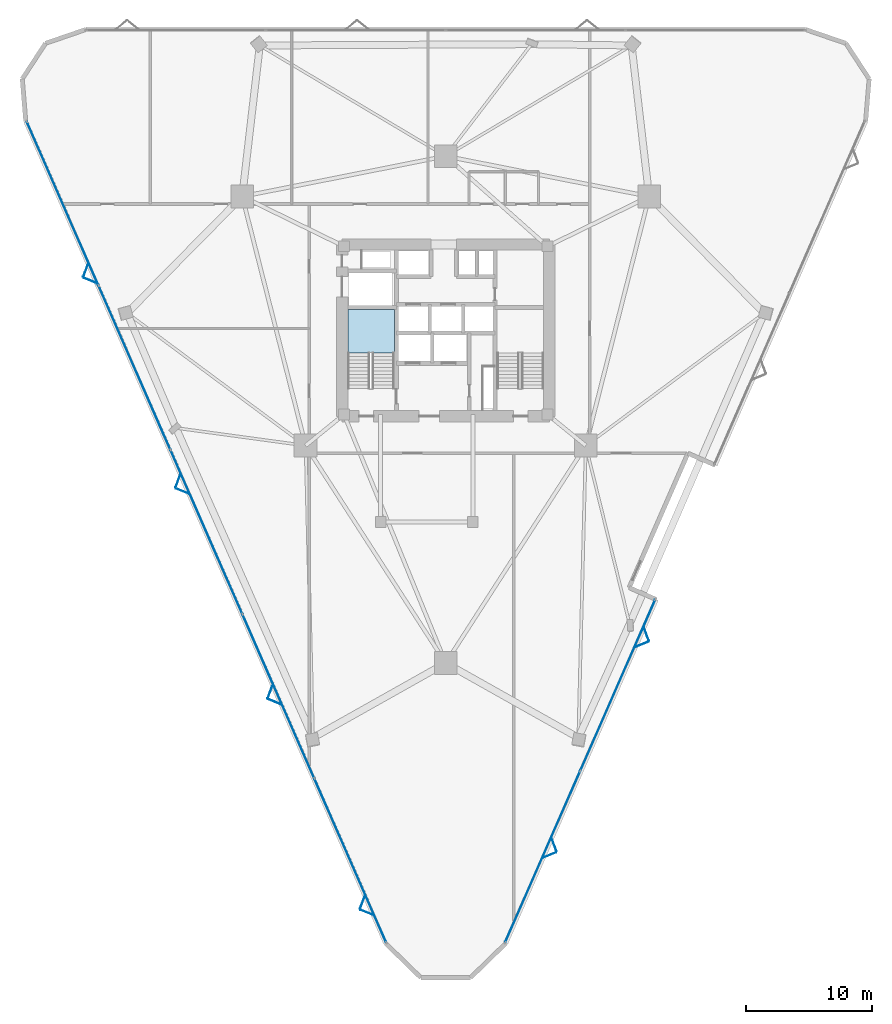
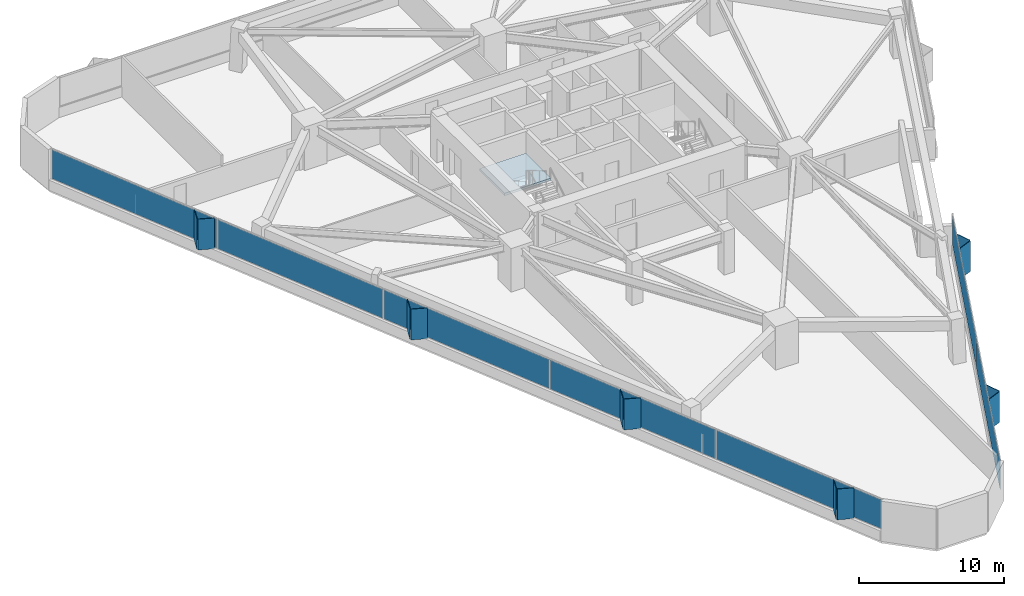
# One storey, part 9 of 14: 19 plates, 1 slab, 3 elements without a shape of their own.
"""IFC4 building model written with IfcOpenShell, lengths in metres."""

from ifc_helpers import new_model, si_unit, direction, frame, origin, origin_2d, place, context, subcontext, project, spatial, polyline, rectangle, outline, extrude, material, layer, layer_set, type_object, element, aggregate, save


model = new_model("IFC4")

# Units and contexts
model_context = context("Model", 3, precision=1e-05, world=origin(), true_north=direction((0.0, 1.0)))
body_context = subcontext(model_context, "Body", "Model", "MODEL_VIEW")
ifc_project = project(units=[si_unit("LENGTHUNIT", "METRE"), si_unit("AREAUNIT", "SQUARE_METRE"), si_unit("VOLUMEUNIT", "CUBIC_METRE"), si_unit("PLANEANGLEUNIT", "RADIAN"), si_unit("MASSUNIT", "GRAM", prefix="KILO")], contexts=[model_context])

# Site, building, storey
site_placement = place(None, origin())
site = spatial("IfcSite", under=ifc_project, at=site_placement, CompositionType="ELEMENT")
building_placement = place(site_placement, origin())
building = spatial("IfcBuilding", under=site, at=building_placement, Name="Talyreon Biosciences Tower", CompositionType="ELEMENT")
storey_placement = place(building_placement, frame((0.0, 0.0, 48.35009765625)))
storey = spatial("IfcBuildingStorey", under=building, at=storey_placement, Name="L12", CompositionType="ELEMENT", Elevation=48.35009765625)

# Curtain wall, plates
ifc_material_1 = material(Name="Thermally broken aluminium and low-E glazing", Category="aluminium")
ifc_layer_1 = layer(ifc_material_1, 0.205078125)
ifc_layer_set_1 = layer_set([ifc_layer_1], Name="Thermally broken aluminium and low-E glazing")
curtain_wall_type = type_object("IfcCurtainWallType", Name="CurtainWall_SkyGardenLoggia", PredefinedType="NOTDEFINED", material=ifc_layer_set_1)
curtain_wall_1_placement = place(storey_placement, origin())
curtain_wall_1 = element("IfcCurtainWall", 1, at=curtain_wall_1_placement, inside=storey, type_object=curtain_wall_type, Name="L12 Unitised Curtain Wall FCW-L12-11", PredefinedType="NOTDEFINED")
ifc_material_2 = material(Name="Acoustic laminated low-E insulated glazing", Category="glass")
ifc_layer_2 = layer(ifc_material_2, 0.0380859375)
ifc_layer_set_2 = layer_set([ifc_layer_2], Name="Acoustic laminated low-E insulated glazing")
plate_type_1 = type_object("IfcPlateType", Name="CWGlazingPanel_38", PredefinedType="CURTAIN_PANEL", material=ifc_layer_set_2)
plate_1_placement = place(storey_placement, frame((79.6181640625, 39.912109375, 0.874755859375), z_axis=(0.0, 0.0, 1.0), x_axis=(-0.401096974143, -0.916035598289, 0.0)))
plate_1 = element("IfcPlate", 2, at=plate_1_placement, type_object=plate_type_1, Name="CW7 panel 1.1", PredefinedType="CURTAIN_PANEL", context=body_context, shape_type="SweptSolid", body=[
    extrude(rectangle(XDim=14.7392578125, YDim=0.0380859375, at=origin_2d()), origin(), (0.0, 0.0, 1.0), 2.43505859375),
])
plate_2_placement = place(storey_placement, frame((73.676025390625, 26.341796875, 0.874755859375), z_axis=(0.0, 0.0, 1.0), x_axis=(-0.401096974143, -0.916035598289, 0.0)))
plate_2 = element("IfcPlate", 3, at=plate_2_placement, type_object=plate_type_1, Name="CW7 panel 2.1", PredefinedType="CURTAIN_PANEL", context=body_context, shape_type="SweptSolid", body=[
    extrude(rectangle(XDim=14.7392578125, YDim=0.0380859375, at=origin_2d()), origin(), (0.0, 0.0, 1.0), 2.43505859375),
])
aggregate(curtain_wall_1, [plate_1, plate_2])

curtain_wall_2_placement = place(storey_placement, origin())
curtain_wall_2 = element("IfcCurtainWall", 4, at=curtain_wall_2_placement, inside=storey, type_object=curtain_wall_type, Name="L12 Unitised Curtain Wall FCW-L12-15", PredefinedType="NOTDEFINED")
plate_3_placement = place(storey_placement, frame((58.454345703125, 26.0439453125, 0.874755859375), z_axis=(0.0, 0.0, 1.0), x_axis=(-0.40109726429, 0.916035471245, 0.0)))
plate_3 = element("IfcPlate", 5, at=plate_3_placement, type_object=plate_type_1, Name="CW7 panel 1.1", PredefinedType="CURTAIN_PANEL", context=body_context, shape_type="SweptSolid", body=[
    extrude(rectangle(XDim=14.0888671875, YDim=0.0380859375, at=origin_2d()), origin(), (0.0, 0.0, 1.0), 2.43505859375),
])
plate_4_placement = place(storey_placement, frame((52.765625, 39.03564453125, 0.874755859375), z_axis=(0.0, 0.0, 1.0), x_axis=(-0.40109726429, 0.916035471245, 0.0)))
plate_4 = element("IfcPlate", 6, at=plate_4_placement, type_object=plate_type_1, Name="CW7 panel 2.1", PredefinedType="CURTAIN_PANEL", context=body_context, shape_type="SweptSolid", body=[
    extrude(rectangle(XDim=14.12646484375, YDim=0.0380859375, at=origin_2d()), origin(), (0.0, 0.0, 1.0), 2.43505859375),
])
plate_5_placement = place(storey_placement, frame((47.069580078125, 52.044677734375, 0.874755859375), z_axis=(0.0, 0.0, 1.0), x_axis=(-0.40109726429, 0.916035471245, 0.0)))
plate_5 = element("IfcPlate", 7, at=plate_5_placement, type_object=plate_type_1, Name="CW7 panel 3.1", PredefinedType="CURTAIN_PANEL", context=body_context, shape_type="SweptSolid", body=[
    extrude(rectangle(XDim=14.12646484375, YDim=0.0380859375, at=origin_2d()), origin(), (0.0, 0.0, 1.0), 2.43505859375),
])
plate_6_placement = place(storey_placement, frame((41.373291015625, 65.0537109375, 0.874755859375), z_axis=(0.0, 0.0, 1.0), x_axis=(-0.40109726429, 0.916035471245, 0.0)))
plate_6 = element("IfcPlate", 8, at=plate_6_placement, type_object=plate_type_1, Name="CW7 panel 4.1", PredefinedType="CURTAIN_PANEL", context=body_context, shape_type="SweptSolid", body=[
    extrude(rectangle(XDim=14.12646484375, YDim=0.0380859375, at=origin_2d()), origin(), (0.0, 0.0, 1.0), 2.43505859375),
])
plate_7_placement = place(storey_placement, frame((35.684814453125, 78.04541015625, 0.874755859375), z_axis=(0.0, 0.0, 1.0), x_axis=(-0.40109726429, 0.916035471245, 0.0)))
plate_7 = element("IfcPlate", 9, at=plate_7_placement, type_object=plate_type_1, Name="CW7 panel 5.1", PredefinedType="CURTAIN_PANEL", context=body_context, shape_type="SweptSolid", body=[
    extrude(rectangle(XDim=14.0888671875, YDim=0.0380859375, at=origin_2d()), origin(), (0.0, 0.0, 1.0), 2.43505859375),
])
aggregate(curtain_wall_2, [plate_3, plate_4, plate_5, plate_6, plate_7])

# Plates
ifc_material_3 = material(Name="Ivory GFRC sunshade panel", Category="concrete")
ifc_layer_3 = layer(ifc_material_3, 0.044921875)
ifc_layer_set_3 = layer_set([ifc_layer_3], Name="Ivory GFRC sunshade panel")
plate_type_2 = type_object("IfcPlateType", Name="FoldedVSunshade_SunFace_SUNSHADE", PredefinedType="USERDEFINED", material=ifc_layer_set_3)
for number, where, z_axis, x_axis, name in (
    (10, (81.876220703125, 43.971923828125, 0.7900390625), (0.0, 0.0, 1.0), (0.347803073264, -0.937567609417, 0.0), "L12 Folded V-Sunshade Panel 11.01L"),
    (11, (81.51513671875, 43.147705078125, 0.7900390625), (0.0, 0.0, 1.0), (-0.924858316353, -0.380311838723, 0.0), "L12 Folded V-Sunshade Panel 11.01R"),
    (12, (74.576171875, 27.300048828125, 0.7900390625), (0.0, 0.0, 1.0), (0.347803073264, -0.937567609417, 0.0), "L12 Folded V-Sunshade Panel 11.02L"),
    (13, (74.215087890625, 26.4755859375, 0.7900390625), (0.0, 0.0, 1.0), (-0.924858316353, -0.380311838723, 0.0), "L12 Folded V-Sunshade Panel 11.02R"),
    (14, (59.775634765625, 21.928955078125, 0.7900390625), (0.0, 0.0, 1.0), (-0.924858316353, 0.380311838723, 0.0), "L12 Folded V-Sunshade Panel 15.01L"),
    (15, (59.414794921875, 22.75341796875, 0.7900390625), (0.0, 0.0, 1.0), (0.347803073264, 0.937567609417, 0.0), "L12 Folded V-Sunshade Panel 15.01R"),
    (16, (52.475830078125, 38.600830078125, 0.7900390625), (0.0, 0.0, 1.0), (-0.924858316353, 0.380311838723, 0.0), "L12 Folded V-Sunshade Panel 15.02L"),
    (17, (52.11474609375, 39.42529296875, 0.7900390625), (0.0, 0.0, 1.0), (0.347803073264, 0.937567609417, 0.0), "L12 Folded V-Sunshade Panel 15.02R"),
    (18, (45.17578125, 55.272705078125, 0.7900390625), (0.0, 0.0, 1.0), (-0.924858316353, 0.380311838723, 0.0), "L12 Folded V-Sunshade Panel 15.03L"),
    (19, (44.814697265625, 56.096923828125, 0.7900390625), (0.0, 0.0, 1.0), (0.347803073264, 0.937567609417, 0.0), "L12 Folded V-Sunshade Panel 15.03R"),
    (20, (37.875732421875, 71.944580078125, 0.7900390625), (0.0, 0.0, 1.0), (-0.924858316353, 0.380311838723, 0.0), "L12 Folded V-Sunshade Panel 15.04L"),
    (21, (37.514892578125, 72.768798828125, 0.7900390625), (0.0, 0.0, 1.0), (0.347803073264, 0.937567609417, 0.0), "L12 Folded V-Sunshade Panel 15.04R"),
):
    element("IfcPlate", number, at=place(storey_placement, frame(where, z_axis=z_axis, x_axis=x_axis)), inside=storey, type_object=plate_type_2, Name=name, ObjectType="SUNSHADE", PredefinedType="USERDEFINED", context=body_context, shape_type="SweptSolid", body=[
        extrude(rectangle(XDim=1.14990234375, YDim=0.044921875, at=origin_2d()), origin(), (0.0, 0.0, 1.0), 2.5849609375),
    ])

# Stair, slab
ifc_material_4 = material(Name="Concrete C40/50", Category="concrete")
stair_type = type_object("IfcStairType", Name="DoglegEscapeStair_3650", PredefinedType="HALF_TURN_STAIR", material=ifc_material_4)
stair_placement = place(storey_placement, origin())
stair = element("IfcStair", 22, at=stair_placement, inside=storey, type_object=stair_type, Name="L12 Core Escape Stair 1", PredefinedType="HALF_TURN_STAIR")
ifc_layer_4 = layer(ifc_material_4, 0.199951171875)
ifc_layer_set_4 = layer_set([ifc_layer_4], Name="Concrete C40/50")
slab_type = type_object("IfcSlabType", Name="StairLandingSlab_200", PredefinedType="LANDING", material=ifc_layer_set_4)
slab_placement = place(storey_placement, frame((0.0, 0.0, 1.625)))
slab = element("IfcSlab", 23, at=slab_placement, type_object=slab_type, Name="ST-1 landing 1", PredefinedType="LANDING", context=body_context, shape_type="SweptSolid", body=[
    extrude(outline(polyline([(61.929931640625, 66.199951171875), (61.929931640625, 69.64990234375), (58.25, 69.64990234375), (58.25, 66.199951171875), (61.929931640625, 66.199951171875)])), origin(), (0.0, 0.0, 1.0), 0.199951171875),
])
aggregate(stair, [slab])

save(model, "model.ifc")
